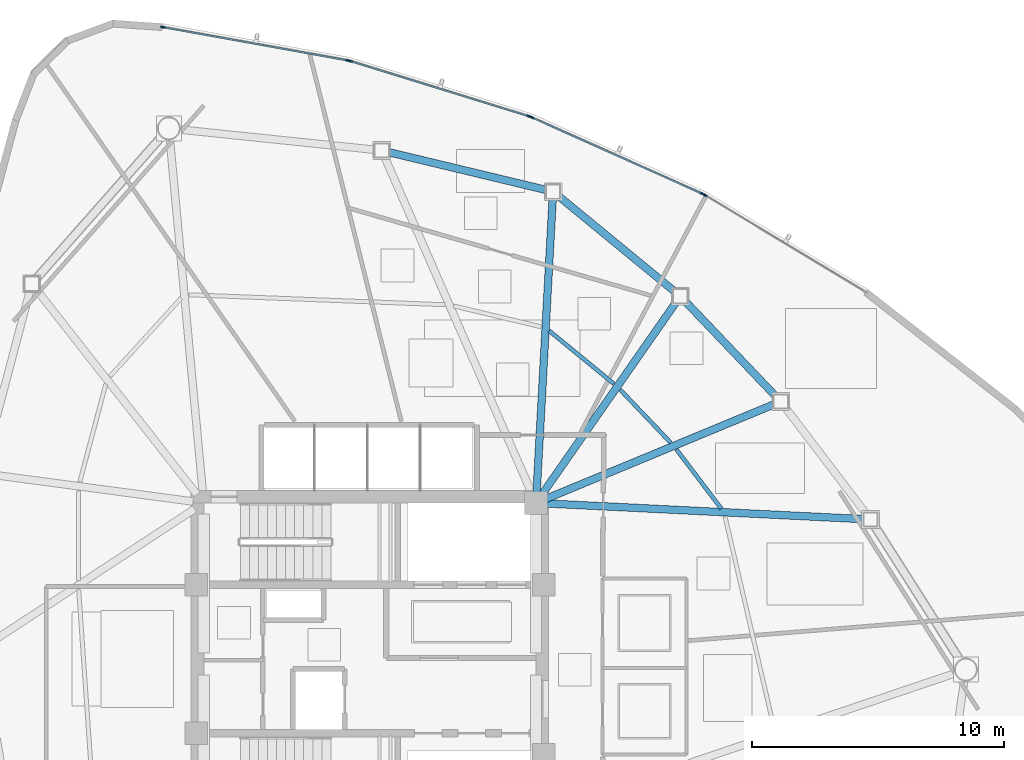
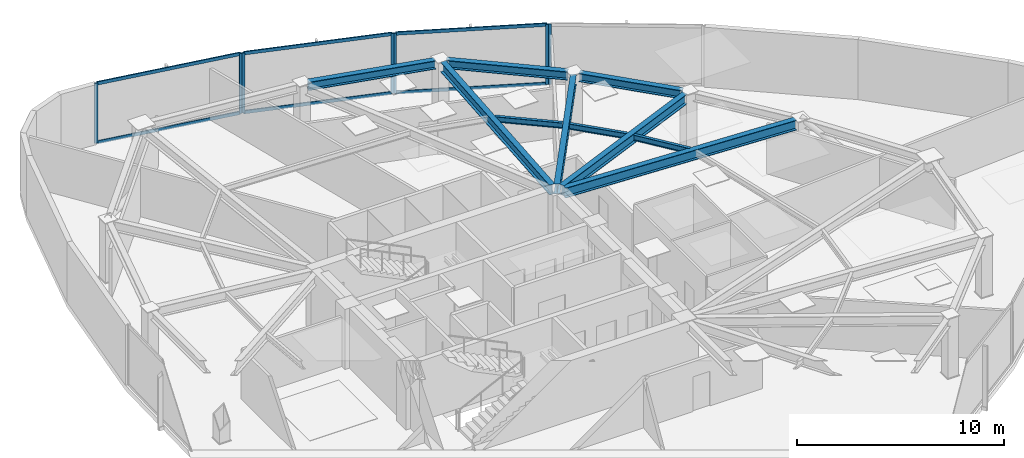
# One storey, part 8 of 17: 13 members, 10 beams, 4 elements without a shape of their own.
"""IFC4 building model written with IfcOpenShell, lengths in metres."""

from ifc_helpers import new_model, si_unit, direction, frame, origin, origin_2d, place, context, subcontext, project, spatial, hollow_rectangle, i_section, extrude, source, transform, mapped, material, layer, layer_set, material_profile, profile_set, type_object, type_shapes, element, aggregate, save


model = new_model("IFC4")

# Units and contexts
model_context = context("Model", 3, precision=1e-05, world=origin(), true_north=direction((0.0, 1.0)))
body_context = subcontext(model_context, "Body", "Model", "MODEL_VIEW")
ifc_project = project(units=[si_unit("LENGTHUNIT", "METRE"), si_unit("AREAUNIT", "SQUARE_METRE"), si_unit("VOLUMEUNIT", "CUBIC_METRE"), si_unit("PLANEANGLEUNIT", "RADIAN"), si_unit("MASSUNIT", "GRAM", prefix="KILO")], contexts=[model_context])

# Site, building, storey
site_placement = place(None, origin())
site = spatial("IfcSite", under=ifc_project, at=site_placement, CompositionType="ELEMENT")
building_placement = place(site_placement, origin())
building = spatial("IfcBuilding", under=site, at=building_placement, Name="Tavelor Broadcast Tower", CompositionType="ELEMENT")
storey_placement = place(building_placement, frame((0.0, 0.0, 169.5)))
storey = spatial("IfcBuildingStorey", under=building, at=storey_placement, Name="L40", CompositionType="ELEMENT", Elevation=169.5)

# Beams
ifc_material_1 = material(Name="Steel S355", Category="steel")
ifc_material_profile_1 = material_profile(ifc_material_1, i_section(OverallWidth=0.159912109375, OverallDepth=0.330078125, WebThickness=0.007568359375, FlangeThickness=0.011474609375, at=origin_2d()), Name="IPE 330")
ifc_profile_set_1 = profile_set([ifc_material_profile_1], Name="Steel S355")
beam_type_1 = type_object("IfcBeamType", Name="Composite Floor Joist T4 IPE 330", PredefinedType="JOIST", material=ifc_profile_set_1)
beam_1_placement = place(storey_placement, frame((63.959716796875, 50.9755859375, 3.385009765625), z_axis=(-0.604116162247, 0.796896268351, 0.0), x_axis=(-0.796896268351, -0.604116162247, 0.0)))
element("IfcBeam", 1, at=beam_1_placement, inside=storey, type_object=beam_type_1, Name="L40 Secondary Composite Floor Joist 14", PredefinedType="JOIST", context=body_context, shape_type="SweptSolid", body=[
    extrude(i_section(OverallWidth=0.159912109375, OverallDepth=0.330078125, WebThickness=0.007568359375, FlangeThickness=0.011474609375, at=origin_2d()), origin(), (0.0, 0.0, 1.0), 2.94580078125),
])
beam_2_placement = place(storey_placement, frame((61.946044921875, 53.59814453125, 3.385009765625), z_axis=(-0.689642531817, 0.724149969487, 0.0), x_axis=(-0.724149969487, -0.689642531817, 0.0)))
element("IfcBeam", 2, at=beam_2_placement, inside=storey, type_object=beam_type_1, Name="L40 Secondary Composite Floor Joist 15", PredefinedType="JOIST", context=body_context, shape_type="SweptSolid", body=[
    extrude(i_section(OverallWidth=0.159912109375, OverallDepth=0.330078125, WebThickness=0.007568359375, FlangeThickness=0.011474609375, at=origin_2d()), origin(), (0.0, 0.0, 1.0), 2.893798828125),
])
beam_3_placement = place(storey_placement, frame((59.685791015625, 55.939453125, 3.385009765625), z_axis=(-0.773655391446, 0.633606609251, 0.0), x_axis=(-0.633606609251, -0.773655391446, 0.0)))
element("IfcBeam", 3, at=beam_3_placement, inside=storey, type_object=beam_type_1, Name="L40 Secondary Composite Floor Joist 16", PredefinedType="JOIST", context=body_context, shape_type="SweptSolid", body=[
    extrude(i_section(OverallWidth=0.159912109375, OverallDepth=0.330078125, WebThickness=0.007568359375, FlangeThickness=0.011474609375, at=origin_2d()), origin(), (0.0, 0.0, 1.0), 3.315673828125),
])
ifc_material_profile_2 = material_profile(ifc_material_1, i_section(OverallWidth=0.300048828125, OverallDepth=0.5, WebThickness=0.014404296875, FlangeThickness=0.028076171875, at=origin_2d()), Name="HEB 500")
ifc_profile_set_2 = profile_set([ifc_material_profile_2], Name="Steel S355")
beam_type_2 = type_object("IfcBeamType", Name="Perimeter Spandrel Beam T4 HEB 500", PredefinedType="SPANDREL", material=ifc_profile_set_2)
beam_4_placement = place(storey_placement, frame((66.123291015625, 55.437255859375, 3.300048828125), z_axis=(-0.689936010055, 0.723870362723, 0.0), x_axis=(-0.723870362723, -0.689936010055, 0.0)))
element("IfcBeam", 4, at=beam_4_placement, inside=storey, type_object=beam_type_2, Name="L40 Framed-Tube Ring Spandrel 15", PredefinedType="SPANDREL", context=body_context, shape_type="SweptSolid", body=[
    extrude(i_section(OverallWidth=0.300048828125, OverallDepth=0.5, WebThickness=0.014404296875, FlangeThickness=0.028076171875, at=origin_2d()), origin(), (0.0, 0.0, 1.0), 5.208740234375),
])
beam_5_placement = place(storey_placement, frame((62.1083984375, 59.59912109375, 3.300048828125), z_axis=(-0.772717651191, 0.634749896839, 0.0), x_axis=(-0.634749896839, -0.772717651191, 0.0)))
element("IfcBeam", 5, at=beam_5_placement, inside=storey, type_object=beam_type_2, Name="L40 Framed-Tube Ring Spandrel 16", PredefinedType="SPANDREL", context=body_context, shape_type="SweptSolid", body=[
    extrude(i_section(OverallWidth=0.300048828125, OverallDepth=0.5, WebThickness=0.014404296875, FlangeThickness=0.028076171875, at=origin_2d()), origin(), (0.0, 0.0, 1.0), 5.965087890625),
])
beam_6_placement = place(storey_placement, frame((56.99658203125, 63.635498046875, 3.300048828125), z_axis=(-0.972354853411, 0.233508113452, 0.0), x_axis=(-0.233508113452, -0.972354853411, 0.0)))
element("IfcBeam", 6, at=beam_6_placement, inside=storey, type_object=beam_type_2, Name="L40 Framed-Tube Ring Spandrel 17", PredefinedType="SPANDREL", context=body_context, shape_type="SweptSolid", body=[
    extrude(i_section(OverallWidth=0.300048828125, OverallDepth=0.5, WebThickness=0.014404296875, FlangeThickness=0.028076171875, at=origin_2d()), origin(), (0.0, 0.0, 1.0), 6.421630859375),
])
ifc_material_profile_3 = material_profile(ifc_material_1, i_section(OverallWidth=0.300048828125, OverallDepth=0.590087890625, WebThickness=0.012939453125, FlangeThickness=0.02490234375, at=origin_2d()), Name="HEA 600")
ifc_profile_set_3 = profile_set([ifc_material_profile_3], Name="Steel S355")
beam_type_3 = type_object("IfcBeamType", Name="Radial Floor Girder T4 HEA 600", PredefinedType="BEAM", material=ifc_profile_set_3)
beam_7_placement = place(storey_placement, frame((57.031494140625, 51.1787109375, 3.2548828125), z_axis=(0.998783784198, -0.049304689662, 0.0), x_axis=(0.049304689662, 0.998783784198, 0.0)))
element("IfcBeam", 7, at=beam_7_placement, inside=storey, type_object=beam_type_3, Name="L40 Radial Primary Floor Girder 14", PredefinedType="BEAM", context=body_context, shape_type="SweptSolid", body=[
    extrude(i_section(OverallWidth=0.300048828125, OverallDepth=0.590087890625, WebThickness=0.012939453125, FlangeThickness=0.02490234375, at=origin_2d()), origin(), (0.0, 0.0, 1.0), 12.582275390625),
])
beam_8_placement = place(storey_placement, frame((56.9990234375, 51.365478515625, 3.2548828125), z_axis=(0.923827405628, 0.38280925356, 0.0), x_axis=(-0.38280925356, 0.923827405628, 0.0)))
element("IfcBeam", 8, at=beam_8_placement, inside=storey, type_object=beam_type_3, Name="L40 Radial Primary Floor Girder 15", PredefinedType="BEAM", context=body_context, shape_type="SweptSolid", body=[
    extrude(i_section(OverallWidth=0.300048828125, OverallDepth=0.590087890625, WebThickness=0.012939453125, FlangeThickness=0.02490234375, at=origin_2d()), origin(), (0.0, 0.0, 1.0), 9.8037109375),
])
beam_9_placement = place(storey_placement, frame((56.84716796875, 51.55419921875, 3.2548828125), z_axis=(0.572078083908, 0.820199162346, 0.0), x_axis=(-0.820199162346, 0.572078083908, 0.0)))
element("IfcBeam", 9, at=beam_9_placement, inside=storey, type_object=beam_type_3, Name="L40 Radial Primary Floor Girder 16", PredefinedType="BEAM", context=body_context, shape_type="SweptSolid", body=[
    extrude(i_section(OverallWidth=0.300048828125, OverallDepth=0.590087890625, WebThickness=0.012939453125, FlangeThickness=0.02490234375, at=origin_2d()), origin(), (0.0, 0.0, 1.0), 9.29736328125),
])
beam_10_placement = place(storey_placement, frame((56.62353515625, 51.63134765625, 3.2548828125), z_axis=(0.054637852805, 0.998506236856, 0.0), x_axis=(-0.998506236856, 0.054637852805, 0.0)))
element("IfcBeam", 10, at=beam_10_placement, inside=storey, type_object=beam_type_3, Name="L40 Radial Primary Floor Girder 17", PredefinedType="BEAM", context=body_context, shape_type="SweptSolid", body=[
    extrude(i_section(OverallWidth=0.300048828125, OverallDepth=0.590087890625, WebThickness=0.012939453125, FlangeThickness=0.02490234375, at=origin_2d()), origin(), (0.0, 0.0, 1.0), 11.666748046875),
])

# Curtain wall, member
ifc_material_2 = material(Name="Architectural Anodized Aluminium", Category="aluminium")
ifc_layer = layer(ifc_material_2, 0.18994140625)
ifc_layer_set = layer_set([ifc_layer], Name="Architectural Anodized Aluminium")
curtain_wall_type = type_object("IfcCurtainWallType", Name="Tower Mid-Zone Acoustic Curtain Wall CW03", PredefinedType="NOTDEFINED", material=ifc_layer_set)
curtain_wall_1_placement = place(storey_placement, origin())
curtain_wall_1 = element("IfcCurtainWall", 11, at=curtain_wall_1_placement, inside=storey, type_object=curtain_wall_type, Name="L40 Curtain Wall CW03 Run 429", PredefinedType="NOTDEFINED")
ifc_material_profile_4 = material_profile(ifc_material_2, hollow_rectangle(XDim=0.068115234375, YDim=0.18994140625, WallThickness=0.02197265625, at=origin_2d()), Name="RHS 68x190x22")
ifc_profile_set_4 = profile_set([ifc_material_profile_4], Name="Architectural Anodized Aluminium")
member_type_1 = type_object("IfcMemberType", Name="CW03 Extruded Aluminium Mullion 68x190", PredefinedType="MULLION", material=ifc_profile_set_4)
shared_shape_1 = source(origin(), body_context, "Body", "SweptSolid", [
    extrude(hollow_rectangle(XDim=0.068115234375, YDim=0.18994140625, WallThickness=0.02197265625, at=origin_2d()), origin(), (0.0, 0.0, 1.0), 3.550048828125),
])
type_shapes(member_type_1, [shared_shape_1])
member_1_placement = place(storey_placement, frame((63.293701171875, 63.436767578125, 0.0), z_axis=(0.0, 0.0, 1.0), x_axis=(-0.516154335225, -0.856495593818, 0.0)))
member_1 = element("IfcMember", 12, at=member_1_placement, type_object=member_type_1, Name="CW03 mullion 2", PredefinedType="MULLION", context=body_context, shape_type="MappedRepresentation", body=[
    mapped(shared_shape_1, transform((0.0, 0.0, 0.0), scale=1.0)),
])
aggregate(curtain_wall_1, [member_1])

# Curtain wall, members
curtain_wall_2_placement = place(storey_placement, origin())
curtain_wall_2 = element("IfcCurtainWall", 13, at=curtain_wall_2_placement, inside=storey, type_object=curtain_wall_type, Name="L40 Curtain Wall CW03 Run 430", PredefinedType="NOTDEFINED")
member_2_placement = place(storey_placement, frame((63.20703125, 63.48193359375, 0.0), z_axis=(0.0, 0.0, 1.0), x_axis=(-0.408733121142, -0.91265395177, 0.0)))
member_2 = element("IfcMember", 14, at=member_2_placement, type_object=member_type_1, Name="CW03 mullion 1", PredefinedType="MULLION", context=body_context, shape_type="MappedRepresentation", body=[
    mapped(shared_shape_1, transform((0.0, 0.0, 0.0), scale=1.0)),
])
member_3_placement = place(storey_placement, frame((56.41650390625, 66.523193359375, 0.0), z_axis=(0.0, 0.0, 1.0), x_axis=(-0.408733121142, -0.91265395177, 0.0)))
member_3 = element("IfcMember", 15, at=member_3_placement, type_object=member_type_1, Name="CW03 mullion 2", PredefinedType="MULLION", context=body_context, shape_type="MappedRepresentation", body=[
    mapped(shared_shape_1, transform((0.0, 0.0, 0.0), scale=1.0)),
])

curtain_wall_3_placement = place(storey_placement, origin())
curtain_wall_3 = element("IfcCurtainWall", 16, at=curtain_wall_3_placement, inside=storey, type_object=curtain_wall_type, Name="L40 Curtain Wall CW03 Run 431", PredefinedType="NOTDEFINED")
member_4_placement = place(storey_placement, frame((56.324951171875, 66.5576171875, 0.0), z_axis=(0.0, 0.0, 1.0), x_axis=(-0.295274219954, -0.955412547034, 0.0)))
member_4 = element("IfcMember", 17, at=member_4_placement, type_object=member_type_1, Name="CW03 mullion 1", PredefinedType="MULLION", context=body_context, shape_type="MappedRepresentation", body=[
    mapped(shared_shape_1, transform((0.0, 0.0, 0.0), scale=1.0)),
])
member_5_placement = place(storey_placement, frame((49.216552734375, 68.754638671875, 0.0), z_axis=(0.0, 0.0, 1.0), x_axis=(-0.295274219954, -0.955412547034, 0.0)))
member_5 = element("IfcMember", 18, at=member_5_placement, type_object=member_type_1, Name="CW03 mullion 2", PredefinedType="MULLION", context=body_context, shape_type="MappedRepresentation", body=[
    mapped(shared_shape_1, transform((0.0, 0.0, 0.0), scale=1.0)),
])

curtain_wall_4_placement = place(storey_placement, origin())
curtain_wall_4 = element("IfcCurtainWall", 19, at=curtain_wall_4_placement, inside=storey, type_object=curtain_wall_type, Name="L40 Curtain Wall CW03 Run 432", PredefinedType="NOTDEFINED")
member_6_placement = place(storey_placement, frame((49.121337890625, 68.77783203125, 0.0), z_axis=(0.0, 0.0, 1.0), x_axis=(-0.177492326261, -0.984122184547, 0.0)))
member_6 = element("IfcMember", 20, at=member_6_placement, type_object=member_type_1, Name="CW03 mullion 1", PredefinedType="MULLION", context=body_context, shape_type="MappedRepresentation", body=[
    mapped(shared_shape_1, transform((0.0, 0.0, 0.0), scale=1.0)),
])
member_7_placement = place(storey_placement, frame((41.783447265625, 70.10107421875, 0.0), z_axis=(0.0, 0.0, 1.0), x_axis=(-0.177492326261, -0.984122184547, 0.0)))
member_7 = element("IfcMember", 21, at=member_7_placement, type_object=member_type_1, Name="CW03 mullion 2", PredefinedType="MULLION", context=body_context, shape_type="MappedRepresentation", body=[
    mapped(shared_shape_1, transform((0.0, 0.0, 0.0), scale=1.0)),
])
ifc_material_profile_5 = material_profile(ifc_material_2, hollow_rectangle(XDim=0.068115234375, YDim=0.18994140625, WallThickness=0.02197265625, at=origin_2d()), Name="RHS 68x190x22")
ifc_profile_set_5 = profile_set([ifc_material_profile_5], Name="Architectural Anodized Aluminium")
member_type_2 = type_object("IfcMemberType", Name="CW03 Extruded Aluminium Transom 68x190", PredefinedType="USERDEFINED", material=ifc_profile_set_5)
shared_shape_2 = source(origin(), body_context, "Body", "SweptSolid", [
    extrude(hollow_rectangle(XDim=0.068115234375, YDim=0.18994140625, WallThickness=0.02197265625, at=origin_2d()), origin(), (0.0, 0.0, 1.0), 7.38818359375),
])
member_8_placement = place(storey_placement, frame((49.087890625, 68.78369140625, 0.033935546875), z_axis=(-0.984117460278, 0.177518518405, 0.0), x_axis=(-0.177518518405, -0.984117460278, 0.0)))
member_8 = element("IfcMember", 22, at=member_8_placement, type_object=member_type_2, Name="CW03 transom 1.1", ObjectType="TRANSOM", PredefinedType="USERDEFINED", context=body_context, shape_type="MappedRepresentation", body=[
    mapped(shared_shape_2, transform((0.0, 0.0, 0.0), scale=1.0)),
])
member_9_placement = place(storey_placement, frame((49.087890625, 68.78369140625, 3.51611328125), z_axis=(-0.984117460278, 0.177518518405, 0.0), x_axis=(-0.177518518405, -0.984117460278, 0.0)))
member_9 = element("IfcMember", 23, at=member_9_placement, type_object=member_type_2, Name="CW03 transom 1.2", ObjectType="TRANSOM", PredefinedType="USERDEFINED", context=body_context, shape_type="MappedRepresentation", body=[
    mapped(shared_shape_2, transform((0.0, 0.0, 0.0), scale=1.0)),
])
aggregate(curtain_wall_4, [member_6, member_7, member_8, member_9])

# Member
shared_shape_3 = source(origin(), body_context, "Body", "SweptSolid", [
    extrude(hollow_rectangle(XDim=0.068115234375, YDim=0.18994140625, WallThickness=0.02197265625, at=origin_2d()), origin(), (0.0, 0.0, 1.0), 7.37255859375),
])
member_10_placement = place(storey_placement, frame((63.176025390625, 63.495849609375, 0.033935546875), z_axis=(-0.912651205344, 0.40873925354, 0.0), x_axis=(-0.40873925354, -0.912651205344, 0.0)))
member_10 = element("IfcMember", 24, at=member_10_placement, type_object=member_type_2, Name="CW03 transom 1.1", ObjectType="TRANSOM", PredefinedType="USERDEFINED", context=body_context, shape_type="MappedRepresentation", body=[
    mapped(shared_shape_3, transform((0.0, 0.0, 0.0), scale=1.0)),
])

member_11_placement = place(storey_placement, frame((63.176025390625, 63.495849609375, 3.51611328125), z_axis=(-0.912651205344, 0.40873925354, 0.0), x_axis=(-0.40873925354, -0.912651205344, 0.0)))
member_11 = element("IfcMember", 25, at=member_11_placement, type_object=member_type_2, Name="CW03 transom 1.2", ObjectType="TRANSOM", PredefinedType="USERDEFINED", context=body_context, shape_type="MappedRepresentation", body=[
    mapped(shared_shape_3, transform((0.0, 0.0, 0.0), scale=1.0)),
])

aggregate(curtain_wall_2, [member_2, member_3, member_10, member_11])

shared_shape_4 = source(origin(), body_context, "Body", "SweptSolid", [
    extrude(hollow_rectangle(XDim=0.068115234375, YDim=0.18994140625, WallThickness=0.02197265625, at=origin_2d()), origin(), (0.0, 0.0, 1.0), 7.372314453125),
])
type_shapes(member_type_2, [shared_shape_2, shared_shape_3, shared_shape_4])
member_12_placement = place(storey_placement, frame((56.29248046875, 66.567626953125, 0.033935546875), z_axis=(-0.955405189124, 0.295298026739, 0.0), x_axis=(-0.295298026739, -0.955405189124, 0.0)))
member_12 = element("IfcMember", 26, at=member_12_placement, type_object=member_type_2, Name="CW03 transom 1.1", ObjectType="TRANSOM", PredefinedType="USERDEFINED", context=body_context, shape_type="MappedRepresentation", body=[
    mapped(shared_shape_4, transform((0.0, 0.0, 0.0), scale=1.0)),
])

member_13_placement = place(storey_placement, frame((56.29248046875, 66.567626953125, 3.51611328125), z_axis=(-0.955405189124, 0.295298026739, 0.0), x_axis=(-0.295298026739, -0.955405189124, 0.0)))
member_13 = element("IfcMember", 27, at=member_13_placement, type_object=member_type_2, Name="CW03 transom 1.2", ObjectType="TRANSOM", PredefinedType="USERDEFINED", context=body_context, shape_type="MappedRepresentation", body=[
    mapped(shared_shape_4, transform((0.0, 0.0, 0.0), scale=1.0)),
])

aggregate(curtain_wall_3, [member_4, member_5, member_12, member_13])

save(model, "model.ifc")
